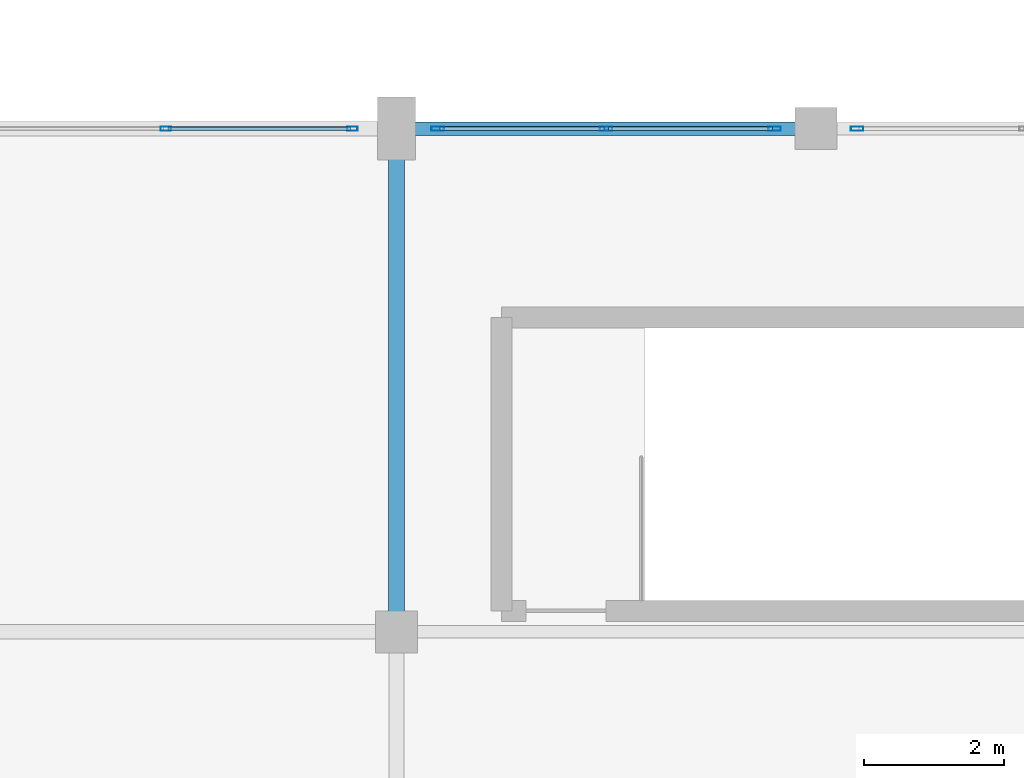
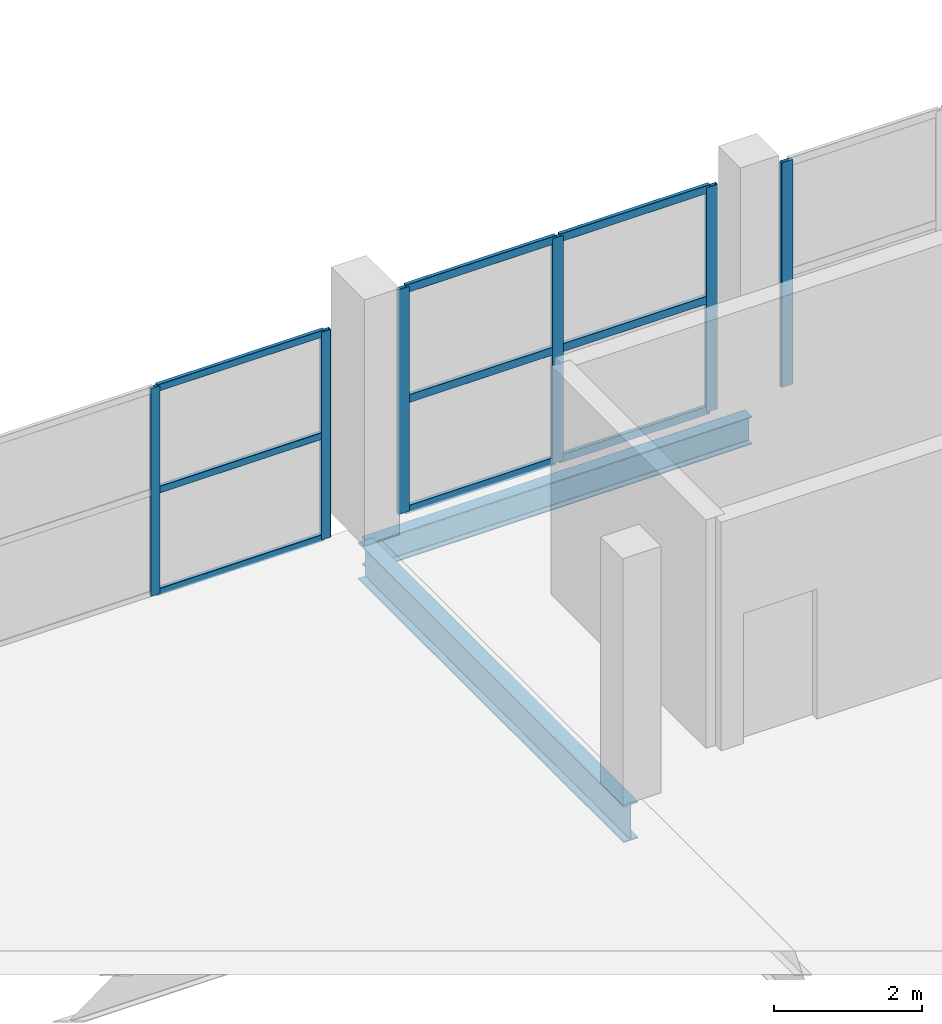
# One storey, part 67 of 127: 15 members, 2 beams, 3 elements without a shape of their own.
"""IFC4 building model written with IfcOpenShell, lengths in metres."""

from ifc_helpers import new_model, si_unit, direction, frame, origin, origin_2d, place, context, subcontext, project, spatial, hollow_rectangle, i_section, extrude, material, layer, layer_set, material_profile, profile_set, type_object, element, aggregate, save


model = new_model("IFC4")

# Units and contexts
model_context = context("Model", 3, precision=1e-05, world=origin(), true_north=direction((0.0, 1.0)))
body_context = subcontext(model_context, "Body", "Model", "MODEL_VIEW")
ifc_project = project(units=[si_unit("LENGTHUNIT", "METRE"), si_unit("AREAUNIT", "SQUARE_METRE"), si_unit("VOLUMEUNIT", "CUBIC_METRE"), si_unit("PLANEANGLEUNIT", "RADIAN"), si_unit("MASSUNIT", "GRAM", prefix="KILO")], contexts=[model_context])

# Site, building, storey
site_placement = place(None, origin())
site = spatial("IfcSite", under=ifc_project, at=site_placement, CompositionType="ELEMENT")
building_placement = place(site_placement, origin())
building = spatial("IfcBuilding", under=site, at=building_placement, Name="Dunvalen Ferry Terminal", CompositionType="ELEMENT")
storey_placement = place(building_placement, frame((0.0, 0.0, 5.760009765625)))
storey = spatial("IfcBuildingStorey", under=building, at=storey_placement, Name="L01", CompositionType="ELEMENT", Elevation=5.760009765625)

# Curtain wall, members
ifc_material_1 = material(Name="Anodised marine aluminium and solar-control glazing", Category="aluminium")
ifc_layer_1 = layer(ifc_material_1, 0.219970703125, Name="Anodised marine aluminium and solar-control glazing")
ifc_layer_set_1 = layer_set([ifc_layer_1], Name="Anodised marine aluminium and solar-control glazing")
curtain_wall_type_1 = type_object("IfcCurtainWallType", Name="ENV-CW-SYS-02", PredefinedType="NOTDEFINED", material=ifc_layer_set_1)
curtain_wall_1_placement = place(storey_placement, origin())
curtain_wall_1 = element("IfcCurtainWall", 1, at=curtain_wall_1_placement, inside=storey, type_object=curtain_wall_type_1, Name="L01 Curtain Wall CW-V2N-L01-01", PredefinedType="NOTDEFINED")
ifc_material_2 = material(Name="Anodised marine aluminium EN AW-6063 T6", Category="aluminium")
ifc_material_profile_1 = material_profile(ifc_material_2, hollow_rectangle(XDim=0.06005859375, YDim=0.179931640625, WallThickness=0.00341796875, InnerFilletRadius=0.00341796875, OuterFilletRadius=0.007080078125, at=origin_2d()), Name="Anodised marine aluminium EN AW-6063 T6")
ifc_profile_set_1 = profile_set([ifc_material_profile_1], Name="Anodised marine aluminium EN AW-6063 T6")
member_type_1 = type_object("IfcMemberType", Name="ENV-CW-MUL-2", PredefinedType="MULLION", material=ifc_profile_set_1)
member_1_placement = place(storey_placement, frame((108.590087890625, 86.39990234375, 0.0), z_axis=(0.0, 0.0, 1.0), x_axis=(0.0, 1.0, 0.0)))
member_1 = element("IfcMember", 2, at=member_1_placement, type_object=member_type_1, Name="CW-02 mullion 1", PredefinedType="MULLION", context=body_context, shape_type="SweptSolid", body=[
    extrude(hollow_rectangle(XDim=0.06005859375, YDim=0.179931640625, WallThickness=0.00341796875, InnerFilletRadius=0.00341796875, OuterFilletRadius=0.007080078125, at=origin_2d()), origin(), (0.0, 0.0, 1.0), 3.719970703125),
])
member_2_placement = place(storey_placement, frame((111.0, 86.39990234375, 0.0), z_axis=(0.0, 0.0, 1.0), x_axis=(0.0, 1.0, 0.0)))
member_2 = element("IfcMember", 3, at=member_2_placement, type_object=member_type_1, Name="CW-02 mullion 2", PredefinedType="MULLION", context=body_context, shape_type="SweptSolid", body=[
    extrude(hollow_rectangle(XDim=0.06005859375, YDim=0.179931640625, WallThickness=0.00341796875, InnerFilletRadius=0.00341796875, OuterFilletRadius=0.007080078125, at=origin_2d()), origin(), (0.0, 0.0, 1.0), 3.719970703125),
])
member_3_placement = place(storey_placement, frame((113.409912109375, 86.39990234375, 0.0), z_axis=(0.0, 0.0, 1.0), x_axis=(0.0, 1.0, 0.0)))
member_3 = element("IfcMember", 4, at=member_3_placement, type_object=member_type_1, Name="CW-02 mullion 3", PredefinedType="MULLION", context=body_context, shape_type="SweptSolid", body=[
    extrude(hollow_rectangle(XDim=0.06005859375, YDim=0.179931640625, WallThickness=0.00341796875, InnerFilletRadius=0.00341796875, OuterFilletRadius=0.007080078125, at=origin_2d()), origin(), (0.0, 0.0, 1.0), 3.719970703125),
])

# Curtain wall, member
curtain_wall_2_placement = place(storey_placement, origin())
curtain_wall_2 = element("IfcCurtainWall", 5, at=curtain_wall_2_placement, inside=storey, type_object=curtain_wall_type_1, Name="L01 Curtain Wall CW-V2N-L01-02", PredefinedType="NOTDEFINED")
member_4_placement = place(storey_placement, frame((114.590087890625, 86.39990234375, 0.0), z_axis=(0.0, 0.0, 1.0), x_axis=(0.0, 1.0, 0.0)))
member_4 = element("IfcMember", 6, at=member_4_placement, type_object=member_type_1, Name="CW-02 mullion 1", PredefinedType="MULLION", context=body_context, shape_type="SweptSolid", body=[
    extrude(hollow_rectangle(XDim=0.06005859375, YDim=0.179931640625, WallThickness=0.00341796875, InnerFilletRadius=0.00341796875, OuterFilletRadius=0.007080078125, at=origin_2d()), origin(), (0.0, 0.0, 1.0), 3.719970703125),
])
aggregate(curtain_wall_2, [member_4])

# Curtain wall, members
ifc_layer_2 = layer(ifc_material_1, 0.159912109375, Name="Anodised marine aluminium and solar-control glazing")
ifc_layer_set_2 = layer_set([ifc_layer_2], Name="Anodised marine aluminium and solar-control glazing")
curtain_wall_type_2 = type_object("IfcCurtainWallType", Name="ENV-CW-SYS-09", PredefinedType="NOTDEFINED", material=ifc_layer_set_2)
curtain_wall_3_placement = place(storey_placement, origin())
curtain_wall_3 = element("IfcCurtainWall", 7, at=curtain_wall_3_placement, inside=storey, type_object=curtain_wall_type_2, Name="L01 Curtain Wall CW-LNK12-2", PredefinedType="NOTDEFINED")
ifc_material_profile_2 = material_profile(ifc_material_2, hollow_rectangle(XDim=0.06005859375, YDim=0.14990234375, WallThickness=0.00341796875, InnerFilletRadius=0.00341796875, OuterFilletRadius=0.007080078125, at=origin_2d()), Name="Anodised marine aluminium EN AW-6063 T6")
ifc_profile_set_2 = profile_set([ifc_material_profile_2], Name="Anodised marine aluminium EN AW-6063 T6")
member_type_2 = type_object("IfcMemberType", Name="ENV-CW-MUL-3", PredefinedType="MULLION", material=ifc_profile_set_2)
member_5_placement = place(storey_placement, frame((104.699951171875, 86.39990234375, 0.0), z_axis=(0.0, 0.0, 1.0), x_axis=(0.0, 1.0, 0.0)))
member_5 = element("IfcMember", 8, at=member_5_placement, type_object=member_type_2, Name="CW-09 mullion 4", PredefinedType="MULLION", context=body_context, shape_type="SweptSolid", body=[
    extrude(hollow_rectangle(XDim=0.06005859375, YDim=0.14990234375, WallThickness=0.00341796875, InnerFilletRadius=0.00341796875, OuterFilletRadius=0.007080078125, at=origin_2d()), origin(), (0.0, 0.0, 1.0), 3.43994140625),
])
member_6_placement = place(storey_placement, frame((107.3701171875, 86.39990234375, 0.0), z_axis=(0.0, 0.0, 1.0), x_axis=(0.0, 1.0, 0.0)))
member_6 = element("IfcMember", 9, at=member_6_placement, type_object=member_type_2, Name="CW-09 mullion 5", PredefinedType="MULLION", context=body_context, shape_type="SweptSolid", body=[
    extrude(hollow_rectangle(XDim=0.06005859375, YDim=0.14990234375, WallThickness=0.00341796875, InnerFilletRadius=0.00341796875, OuterFilletRadius=0.007080078125, at=origin_2d()), origin(), (0.0, 0.0, 1.0), 3.43994140625),
])

# Member
ifc_material_profile_3 = material_profile(ifc_material_2, hollow_rectangle(XDim=0.06005859375, YDim=0.135009765625, WallThickness=0.003173828125, InnerFilletRadius=0.003173828125, OuterFilletRadius=0.00634765625, at=origin_2d()), Name="Anodised marine aluminium EN AW-6063 T6")
ifc_profile_set_3 = profile_set([ifc_material_profile_3], Name="Anodised marine aluminium EN AW-6063 T6")
member_type_3 = type_object("IfcMemberType", Name="ENV-CW-TRN-2", PredefinedType="USERDEFINED", material=ifc_profile_set_3)
member_7_placement = place(storey_placement, frame((108.6201171875, 86.39990234375, 0.030029296875), z_axis=(1.0, 0.0, 0.0), x_axis=(0.0, 1.0, 0.0)))
member_7 = element("IfcMember", 10, at=member_7_placement, type_object=member_type_3, Name="CW-02 transom 1.1", ObjectType="TRANSOM", PredefinedType="USERDEFINED", context=body_context, shape_type="SweptSolid", body=[
    extrude(hollow_rectangle(XDim=0.06005859375, YDim=0.135009765625, WallThickness=0.003173828125, InnerFilletRadius=0.003173828125, OuterFilletRadius=0.00634765625, at=origin_2d()), origin(), (0.0, 0.0, 1.0), 2.349853515625),
])

member_8_placement = place(storey_placement, frame((108.6201171875, 86.39990234375, 1.860107421875), z_axis=(1.0, 0.0, 0.0), x_axis=(0.0, 1.0, 0.0)))
member_8 = element("IfcMember", 11, at=member_8_placement, type_object=member_type_3, Name="CW-02 transom 1.2", ObjectType="TRANSOM", PredefinedType="USERDEFINED", context=body_context, shape_type="SweptSolid", body=[
    extrude(hollow_rectangle(XDim=0.06005859375, YDim=0.135009765625, WallThickness=0.003173828125, InnerFilletRadius=0.003173828125, OuterFilletRadius=0.00634765625, at=origin_2d()), origin(), (0.0, 0.0, 1.0), 2.349853515625),
])

member_9_placement = place(storey_placement, frame((108.6201171875, 86.39990234375, 3.68994140625), z_axis=(1.0, 0.0, 0.0), x_axis=(0.0, 1.0, 0.0)))
member_9 = element("IfcMember", 12, at=member_9_placement, type_object=member_type_3, Name="CW-02 transom 1.3", ObjectType="TRANSOM", PredefinedType="USERDEFINED", context=body_context, shape_type="SweptSolid", body=[
    extrude(hollow_rectangle(XDim=0.06005859375, YDim=0.135009765625, WallThickness=0.003173828125, InnerFilletRadius=0.003173828125, OuterFilletRadius=0.00634765625, at=origin_2d()), origin(), (0.0, 0.0, 1.0), 2.349853515625),
])

member_10_placement = place(storey_placement, frame((111.030029296875, 86.39990234375, 0.030029296875), z_axis=(1.0, 0.0, 0.0), x_axis=(0.0, 1.0, 0.0)))
member_10 = element("IfcMember", 13, at=member_10_placement, type_object=member_type_3, Name="CW-02 transom 2.1", ObjectType="TRANSOM", PredefinedType="USERDEFINED", context=body_context, shape_type="SweptSolid", body=[
    extrude(hollow_rectangle(XDim=0.06005859375, YDim=0.135009765625, WallThickness=0.003173828125, InnerFilletRadius=0.003173828125, OuterFilletRadius=0.00634765625, at=origin_2d()), origin(), (0.0, 0.0, 1.0), 2.349853515625),
])

member_11_placement = place(storey_placement, frame((111.030029296875, 86.39990234375, 1.860107421875), z_axis=(1.0, 0.0, 0.0), x_axis=(0.0, 1.0, 0.0)))
member_11 = element("IfcMember", 14, at=member_11_placement, type_object=member_type_3, Name="CW-02 transom 2.2", ObjectType="TRANSOM", PredefinedType="USERDEFINED", context=body_context, shape_type="SweptSolid", body=[
    extrude(hollow_rectangle(XDim=0.06005859375, YDim=0.135009765625, WallThickness=0.003173828125, InnerFilletRadius=0.003173828125, OuterFilletRadius=0.00634765625, at=origin_2d()), origin(), (0.0, 0.0, 1.0), 2.349853515625),
])

member_12_placement = place(storey_placement, frame((111.030029296875, 86.39990234375, 3.68994140625), z_axis=(1.0, 0.0, 0.0), x_axis=(0.0, 1.0, 0.0)))
member_12 = element("IfcMember", 15, at=member_12_placement, type_object=member_type_3, Name="CW-02 transom 2.3", ObjectType="TRANSOM", PredefinedType="USERDEFINED", context=body_context, shape_type="SweptSolid", body=[
    extrude(hollow_rectangle(XDim=0.06005859375, YDim=0.135009765625, WallThickness=0.003173828125, InnerFilletRadius=0.003173828125, OuterFilletRadius=0.00634765625, at=origin_2d()), origin(), (0.0, 0.0, 1.0), 2.349853515625),
])

aggregate(curtain_wall_1, [member_1, member_2, member_3, member_7, member_8, member_9, member_10, member_11, member_12])

ifc_material_profile_4 = material_profile(ifc_material_2, hollow_rectangle(XDim=0.06005859375, YDim=0.114990234375, WallThickness=0.0029296875, InnerFilletRadius=0.0029296875, OuterFilletRadius=0.006103515625, at=origin_2d()), Name="Anodised marine aluminium EN AW-6063 T6")
ifc_profile_set_4 = profile_set([ifc_material_profile_4], Name="Anodised marine aluminium EN AW-6063 T6")
member_type_4 = type_object("IfcMemberType", Name="ENV-CW-TRN-3", PredefinedType="USERDEFINED", material=ifc_profile_set_4)
member_13_placement = place(storey_placement, frame((104.72998046875, 86.39990234375, 0.030029296875), z_axis=(1.0, 0.0, 0.0), x_axis=(0.0, 1.0, 0.0)))
member_13 = element("IfcMember", 16, at=member_13_placement, type_object=member_type_4, Name="CW-09 transom 4.1", ObjectType="TRANSOM", PredefinedType="USERDEFINED", context=body_context, shape_type="SweptSolid", body=[
    extrude(hollow_rectangle(XDim=0.06005859375, YDim=0.114990234375, WallThickness=0.0029296875, InnerFilletRadius=0.0029296875, OuterFilletRadius=0.006103515625, at=origin_2d()), origin(), (0.0, 0.0, 1.0), 2.610107421875),
])

member_14_placement = place(storey_placement, frame((104.72998046875, 86.39990234375, 1.719970703125), z_axis=(1.0, 0.0, 0.0), x_axis=(0.0, 1.0, 0.0)))
member_14 = element("IfcMember", 17, at=member_14_placement, type_object=member_type_4, Name="CW-09 transom 4.2", ObjectType="TRANSOM", PredefinedType="USERDEFINED", context=body_context, shape_type="SweptSolid", body=[
    extrude(hollow_rectangle(XDim=0.06005859375, YDim=0.114990234375, WallThickness=0.0029296875, InnerFilletRadius=0.0029296875, OuterFilletRadius=0.006103515625, at=origin_2d()), origin(), (0.0, 0.0, 1.0), 2.610107421875),
])

member_15_placement = place(storey_placement, frame((104.72998046875, 86.39990234375, 3.409912109375), z_axis=(1.0, 0.0, 0.0), x_axis=(0.0, 1.0, 0.0)))
member_15 = element("IfcMember", 18, at=member_15_placement, type_object=member_type_4, Name="CW-09 transom 4.3", ObjectType="TRANSOM", PredefinedType="USERDEFINED", context=body_context, shape_type="SweptSolid", body=[
    extrude(hollow_rectangle(XDim=0.06005859375, YDim=0.114990234375, WallThickness=0.0029296875, InnerFilletRadius=0.0029296875, OuterFilletRadius=0.006103515625, at=origin_2d()), origin(), (0.0, 0.0, 1.0), 2.610107421875),
])

aggregate(curtain_wall_3, [member_5, member_6, member_13, member_14, member_15])

# Beams
ifc_material_3 = material(Name="Steel S355", Category="steel")
ifc_material_profile_5 = material_profile(ifc_material_3, i_section(OverallWidth=0.1904296875, OverallDepth=0.45703125, WebThickness=0.009033203125, FlangeThickness=0.014404296875, FilletRadius=0.01025390625, at=origin_2d()), Name="Steel S355")
ifc_profile_set_5 = profile_set([ifc_material_profile_5], Name="Steel S355")
beam_type_1 = type_object("IfcBeamType", Name="STR-BM-UKB457", PredefinedType="BEAM", material=ifc_profile_set_5)
beam_1_placement = place(storey_placement, frame((108.0, 86.39990234375, -0.488525390625), z_axis=(1.0, 0.0, 0.0), x_axis=(0.0, 1.0, 0.0)))
element("IfcBeam", 19, at=beam_1_placement, inside=storey, type_object=beam_type_1, Name="L01 V2M Primary Beam X-034", PredefinedType="BEAM", context=body_context, shape_type="SweptSolid", body=[
    extrude(i_section(OverallWidth=0.1904296875, OverallDepth=0.45703125, WebThickness=0.009033203125, FlangeThickness=0.014404296875, FilletRadius=0.01025390625, at=origin_2d()), origin(), (0.0, 0.0, 1.0), 6.0),
])
ifc_material_profile_6 = material_profile(ifc_material_3, i_section(OverallWidth=0.228271484375, OverallDepth=0.607666015625, WebThickness=0.010986328125, FlangeThickness=0.017333984375, FilletRadius=0.0126953125, at=origin_2d()), Name="Steel S355")
ifc_profile_set_6 = profile_set([ifc_material_profile_6], Name="Steel S355")
beam_type_2 = type_object("IfcBeamType", Name="STR-BM-UKB610", PredefinedType="BEAM", material=ifc_profile_set_6)
beam_2_placement = place(storey_placement, frame((108.0, 79.199951171875, -0.563720703125), z_axis=(0.0, 1.0, 0.0), x_axis=(-1.0, 0.0, 0.0)))
element("IfcBeam", 20, at=beam_2_placement, inside=storey, type_object=beam_type_2, Name="L01 V2M Primary Girder Y-045", PredefinedType="BEAM", context=body_context, shape_type="SweptSolid", body=[
    extrude(i_section(OverallWidth=0.228271484375, OverallDepth=0.607666015625, WebThickness=0.010986328125, FlangeThickness=0.017333984375, FilletRadius=0.0126953125, at=origin_2d()), origin(), (0.0, 0.0, 1.0), 7.199951171875),
])

save(model, "model.ifc")
